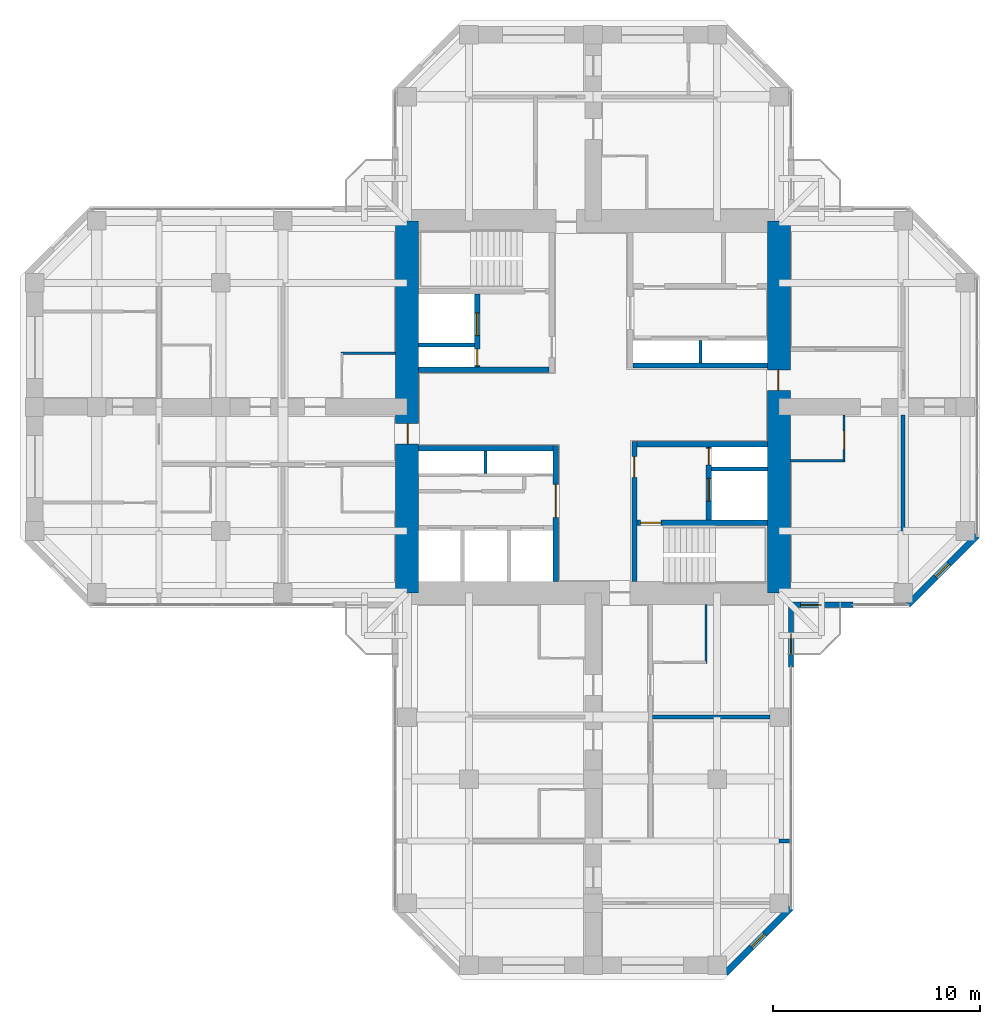
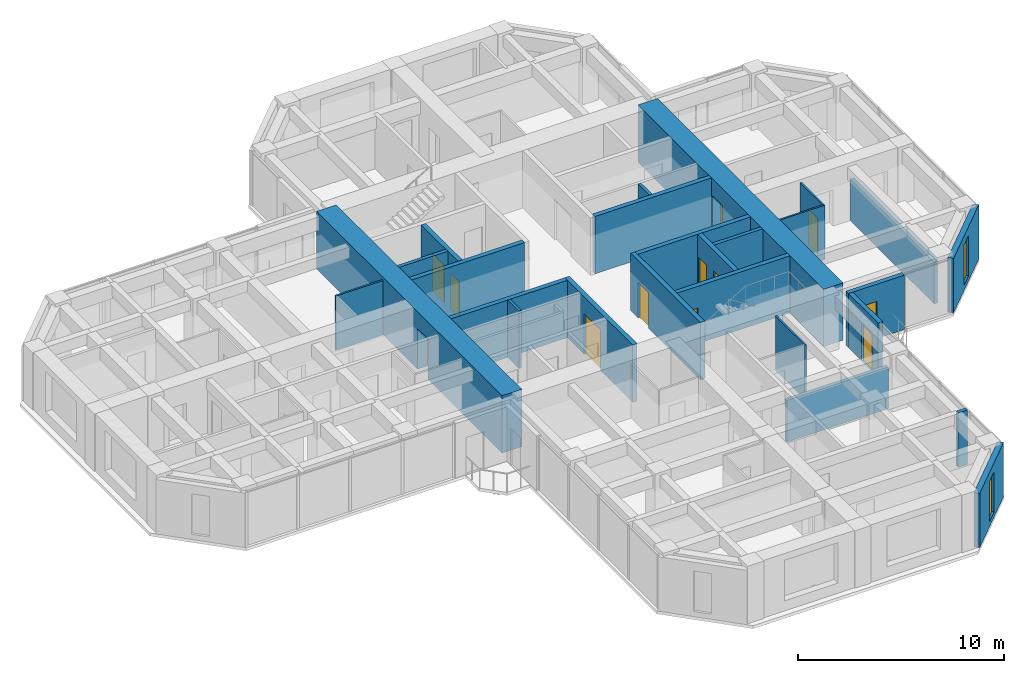
# One storey, part 10 of 13: 26 walls, 12 doors, 2 windows, 14 openings.
"""IFC4 building model written with IfcOpenShell, lengths in metres."""

from ifc_helpers import new_model, si_unit, direction, frame, frame_2d, origin, place, context, subcontext, project, spatial, rectangle, hollow_rectangle, extrude, material, layer, layer_set, constituent, constituent_set, type_object, element, fill, save


model = new_model("IFC4")

# Units and contexts
model_context = context("Model", 3, precision=1e-05, world=origin(), true_north=direction((0.0, 1.0)))
body_context = subcontext(model_context, "Body", "Model", "MODEL_VIEW")
ifc_project = project(units=[si_unit("LENGTHUNIT", "METRE"), si_unit("AREAUNIT", "SQUARE_METRE"), si_unit("VOLUMEUNIT", "CUBIC_METRE"), si_unit("PLANEANGLEUNIT", "RADIAN"), si_unit("MASSUNIT", "GRAM", prefix="KILO")], contexts=[model_context])

# Site, building, storey
site_placement = place(None, origin())
site = spatial("IfcSite", under=ifc_project, at=site_placement, CompositionType="ELEMENT")
building_placement = place(site_placement, origin())
building = spatial("IfcBuilding", under=site, at=building_placement, Name="Torre Cruceta", CompositionType="ELEMENT")
storey_placement = place(building_placement, frame((0.0, 0.0, 196.699951171875)))
storey = spatial("IfcBuildingStorey", under=building, at=storey_placement, Name="L49", CompositionType="ELEMENT", Elevation=196.699951171875)

# Wall
ifc_material_1 = material(Name="Water-resistant plasterboard on steel studs", Category="steel")
ifc_layer_1 = layer(ifc_material_1, 0.10009765625)
ifc_layer_set_1 = layer_set([ifc_layer_1], Name="Water-resistant plasterboard on steel studs")
wall_type_1 = type_object("IfcWallType", Name="BATHROOM WALL 100", PredefinedType="PARTITIONING", material=ifc_layer_set_1)
wall_1_placement = place(storey_placement, frame((9.550048828125, -2.60009765625, 0.0), z_axis=(0.0, 0.0, 1.0), x_axis=(1.0, 0.0, 0.0)))
element("IfcWall", 1, at=wall_1_placement, inside=storey, type_object=wall_type_1, Name="PT4 L49-E-U1RBB", PredefinedType="PARTITIONING", context=body_context, shape_type="SweptSolid", body=[
    extrude(rectangle(XDim=2.64990234375, YDim=0.10009765625, at=frame_2d((1.324951171875, 0.0))), origin(), (0.0, 0.0, 1.0), 3.219970703125),
])

# Wall, opening, door
wall_2_placement = place(storey_placement, frame((12.14990234375, -2.60009765625, 0.0), z_axis=(0.0, 0.0, 1.0), x_axis=(0.0, 1.0, 0.0)))
wall_2 = element("IfcWall", 2, at=wall_2_placement, inside=storey, type_object=wall_type_1, Name="PT4 L49-E-U1RBS", PredefinedType="PARTITIONING", context=body_context, shape_type="SweptSolid", body=[
    extrude(rectangle(XDim=2.2001953125, YDim=0.10009765625, at=frame_2d((1.10009765625, 0.0))), origin(), (0.0, 0.0, 1.0), 3.219970703125),
])
opening_1_placement = place(wall_2_placement, frame((0.550048828125, 0.0, 0.0)))
opening_1 = element("IfcOpeningElement", 3, at=opening_1_placement, cuts=wall_2, Name="Opening D7", PredefinedType="OPENING", context=body_context, shape_type="SweptSolid", body=[
    extrude(rectangle(XDim=0.89990234375, YDim=2.10009765625, at=frame_2d((0.449951171875, 1.050048828125))), frame((0.0, 0.06005859375, 0.0), z_axis=(0.0, -1.0, 0.0), x_axis=(1.0, 0.0, 0.0)), (0.0, 0.0, 1.0), 0.1201171875),
])
ifc_material_2 = material(Name="Timber door", Category="wood")
door_type_1 = type_object("IfcDoorType", Name="BATHROOM DOOR 900X2100", OperationType="SINGLE_SWING_LEFT", PredefinedType="DOOR", material=ifc_material_2)
door_1_placement = place(opening_1_placement, origin())
door_1 = element("IfcDoor", 4, at=door_1_placement, inside=storey, type_object=door_type_1, Name="D7 L49-E-U1RBS-D1", OperationType="SINGLE_SWING_LEFT", OverallHeight=2.10009765625, OverallWidth=0.89990234375, PredefinedType="DOOR", context=body_context, shape_type="SweptSolid", body=[
    extrude(rectangle(XDim=0.89990234375, YDim=2.10009765625, at=frame_2d((0.449951171875, 1.050048828125))), frame((0.0, 0.02490234375, 0.0), z_axis=(0.0, -1.0, 0.0), x_axis=(1.0, 0.0, 0.0)), (0.0, 0.0, 1.0), 0.050048828125),
])
fill(opening_1, door_1)

# Walls
wall_3_placement = place(storey_placement, frame((5.47509765625, -9.550048828125, 0.0), z_axis=(0.0, 0.0, 1.0), x_axis=(0.0, -1.0, 0.0)))
element("IfcWall", 5, at=wall_3_placement, inside=storey, type_object=wall_type_1, Name="PT4 L49-S-U1LBB", PredefinedType="PARTITIONING", context=body_context, shape_type="SweptSolid", body=[
    extrude(rectangle(XDim=2.849853515625, YDim=0.10009765625, at=frame_2d((1.4248046875, 0.0))), origin(), (0.0, 0.0, 1.0), 3.219970703125),
])
wall_4_placement = place(storey_placement, frame((-9.550048828125, 2.60009765625, 0.0), z_axis=(0.0, 0.0, 1.0), x_axis=(-1.0, 0.0, 0.0)))
element("IfcWall", 6, at=wall_4_placement, inside=storey, type_object=wall_type_1, Name="PT4 L49-W-U1RBB", PredefinedType="PARTITIONING", context=body_context, shape_type="SweptSolid", body=[
    extrude(rectangle(XDim=2.64990234375, YDim=0.10009765625, at=frame_2d((1.324951171875, 0.0))), origin(), (0.0, 0.0, 1.0), 3.219970703125),
])
ifc_material_3 = material(Name="Concrete G60 (fck 60 MPa)", Category="concrete")
ifc_layer_2 = layer(ifc_material_3, 0.25)
ifc_layer_set_2 = layer_set([ifc_layer_2], Name="Concrete G60 (fck 60 MPa)")
wall_type_2 = type_object("IfcWallType", Name="CORE INNER WALL 250 G60", PredefinedType="SHEAR", material=ifc_layer_set_2)
wall_5_placement = place(storey_placement, frame((1.925048828125, 2.0, 0.0), z_axis=(0.0, 0.0, 1.0), x_axis=(1.0, 0.0, 0.0)))
element("IfcWall", 7, at=wall_5_placement, inside=storey, type_object=wall_type_2, Name="CW4 L49 NE-CV", PredefinedType="SHEAR", context=body_context, shape_type="SweptSolid", body=[
    extrude(rectangle(XDim=6.52490234375, YDim=0.25, at=frame_2d((3.262451171875, 0.0))), origin(), (0.0, 0.0, 1.0), 3.400146484375),
])
wall_6_placement = place(storey_placement, frame((-2.125, 1.800048828125, 0.0), z_axis=(0.0, 0.0, 1.0), x_axis=(-1.0, 0.0, 0.0)))
element("IfcWall", 8, at=wall_6_placement, inside=storey, type_object=wall_type_2, Name="CW4 L49 NW-CV", PredefinedType="SHEAR", context=body_context, shape_type="SweptSolid", body=[
    extrude(rectangle(XDim=6.324951171875, YDim=0.25, at=frame_2d((3.16259765625, 0.0))), origin(), (0.0, 0.0, 1.0), 3.400146484375),
])

# Wall, openings, doors
wall_7_placement = place(storey_placement, frame((-5.60009765625, 1.925048828125, 0.0), z_axis=(0.0, 0.0, 1.0), x_axis=(0.0, 1.0, 0.0)))
wall_7 = element("IfcWall", 9, at=wall_7_placement, inside=storey, type_object=wall_type_2, Name="CW4 L49 NW-FU", PredefinedType="SHEAR", context=body_context, shape_type="SweptSolid", body=[
    extrude(rectangle(XDim=3.550048828125, YDim=0.25, at=frame_2d((1.77490234375, 0.0))), origin(), (0.0, 0.0, 1.0), 3.400146484375),
])
opening_2_placement = place(wall_7_placement, frame((1.52490234375, 0.0, 0.0)))
opening_2 = element("IfcOpeningElement", 10, at=opening_2_placement, cuts=wall_7, Name="Opening LD1", PredefinedType="OPENING", context=body_context, shape_type="SweptSolid", body=[
    extrude(rectangle(XDim=1.10009765625, YDim=2.199951171875, at=frame_2d((0.550048828125, 1.10009765625))), frame((0.0, 0.135009765625, 0.0), z_axis=(0.0, -1.0, 0.0), x_axis=(1.0, 0.0, 0.0)), (0.0, 0.0, 1.0), 0.27001953125),
])
opening_3_placement = place(wall_7_placement, frame((0.074951171875, 0.0, 0.0)))
opening_3 = element("IfcOpeningElement", 11, at=opening_3_placement, cuts=wall_7, Name="Opening D5", PredefinedType="OPENING", context=body_context, shape_type="SweptSolid", body=[
    extrude(rectangle(XDim=0.800048828125, YDim=2.10009765625, at=frame_2d((0.39990234375, 1.050048828125))), frame((0.0, 0.135009765625, 0.0), z_axis=(0.0, -1.0, 0.0), x_axis=(1.0, 0.0, 0.0)), (0.0, 0.0, 1.0), 0.27001953125),
])
ifc_material_4 = material(Name="Stainless steel 1.4401", Category="steel")
door_type_2 = type_object("IfcDoorType", Name="LIFT LANDING DOOR 1100X2200", OperationType="DOUBLE_DOOR_SLIDING", PredefinedType="DOOR", material=ifc_material_4)
door_2_placement = place(opening_2_placement, origin())
door_2 = element("IfcDoor", 12, at=door_2_placement, inside=storey, type_object=door_type_2, Name="Lift landing door FL1", OperationType="DOUBLE_DOOR_SLIDING", OverallHeight=2.199951171875, OverallWidth=1.10009765625, PredefinedType="DOOR", context=body_context, shape_type="SweptSolid", body=[
    extrude(rectangle(XDim=1.10009765625, YDim=2.199951171875, at=frame_2d((0.550048828125, 1.10009765625))), frame((0.0, 0.02490234375, 0.0), z_axis=(0.0, -1.0, 0.0), x_axis=(1.0, 0.0, 0.0)), (0.0, 0.0, 1.0), 0.050048828125),
])
fill(opening_2, door_2)
ifc_material_5 = material(Name="Steel DX51D", Category="steel")
ifc_constituent_1 = constituent(ifc_material_5, Name="Leaf and frame")
ifc_material_6 = material(Name="Polyester powder coating", Category="paint")
ifc_constituent_2 = constituent(ifc_material_6, Name="Finish")
ifc_constituent_set_1 = constituent_set(constituents=[ifc_constituent_1, ifc_constituent_2], Name="Steel fire door")
door_type_3 = type_object("IfcDoorType", Name="RISER ACCESS DOOR 800X2100", OperationType="SINGLE_SWING_LEFT", PredefinedType="DOOR", material=ifc_constituent_set_1)
door_3_placement = place(opening_3_placement, origin())
door_3 = element("IfcDoor", 13, at=door_3_placement, inside=storey, type_object=door_type_3, Name="D5 L49 NW-RISER", OperationType="SINGLE_SWING_LEFT", OverallHeight=2.10009765625, OverallWidth=0.800048828125, PredefinedType="DOOR", context=body_context, shape_type="SweptSolid", body=[
    extrude(rectangle(XDim=0.800048828125, YDim=2.10009765625, at=frame_2d((0.39990234375, 1.050048828125))), frame((0.0, 0.02490234375, 0.0), z_axis=(0.0, -1.0, 0.0), x_axis=(1.0, 0.0, 0.0)), (0.0, 0.0, 1.0), 0.050048828125),
])
fill(opening_3, door_3)

# Wall, opening, door
wall_8_placement = place(storey_placement, frame((-1.800048828125, -1.875, 0.0), z_axis=(0.0, 0.0, 1.0), x_axis=(0.0, -1.0, 0.0)))
wall_8 = element("IfcWall", 14, at=wall_8_placement, inside=storey, type_object=wall_type_2, Name="CW4 L49 SW-CU", PredefinedType="SHEAR", context=body_context, shape_type="SweptSolid", body=[
    extrude(rectangle(XDim=6.574951171875, YDim=0.25, at=frame_2d((3.28759765625, 0.0))), origin(), (0.0, 0.0, 1.0), 3.400146484375),
])
opening_4_placement = place(wall_8_placement, frame((1.875, 0.0, 0.0)))
opening_4 = element("IfcOpeningElement", 15, at=opening_4_placement, cuts=wall_8, Name="Opening D8", PredefinedType="OPENING", context=body_context, shape_type="SweptSolid", body=[
    extrude(rectangle(XDim=1.60009765625, YDim=2.39990234375, at=frame_2d((0.800048828125, 1.199951171875))), frame((0.0, 0.135009765625, 0.0), z_axis=(0.0, -1.0, 0.0), x_axis=(1.0, 0.0, 0.0)), (0.0, 0.0, 1.0), 0.27001953125),
])
ifc_material_7 = material(Name="Steel DX51D", Category="steel")
ifc_constituent_3 = constituent(ifc_material_7, Name="Leaf and frame")
ifc_material_8 = material(Name="Polyester powder coating", Category="paint")
ifc_constituent_4 = constituent(ifc_material_8, Name="Finish")
ifc_material_9 = material(Name="Fire-resisting glass", Category="glass")
ifc_constituent_5 = constituent(ifc_material_9, Name="Vision panel")
ifc_constituent_set_2 = constituent_set(constituents=[ifc_constituent_3, ifc_constituent_4, ifc_constituent_5], Name="Steel fire door with vision panels")
door_type_4 = type_object("IfcDoorType", Name="LIFT LOBBY DOUBLE DOOR 1600X2400", OperationType="DOUBLE_DOOR_DOUBLE_SWING", PredefinedType="DOOR", material=ifc_constituent_set_2)
door_4_placement = place(opening_4_placement, origin())
door_4 = element("IfcDoor", 16, at=door_4_placement, inside=storey, type_object=door_type_4, Name="D8 L49 SW-LOBBY", OperationType="DOUBLE_DOOR_DOUBLE_SWING", OverallHeight=2.39990234375, OverallWidth=1.60009765625, PredefinedType="DOOR", context=body_context, shape_type="SweptSolid", body=[
    extrude(rectangle(XDim=1.60009765625, YDim=2.39990234375, at=frame_2d((0.800048828125, 1.199951171875))), frame((0.0, 0.02490234375, 0.0), z_axis=(0.0, -1.0, 0.0), x_axis=(1.0, 0.0, 0.0)), (0.0, 0.0, 1.0), 0.050048828125),
])
fill(opening_4, door_4)

# Wall
wall_9_placement = place(storey_placement, frame((-1.925048828125, -2.0, 0.0), z_axis=(0.0, 0.0, 1.0), x_axis=(-1.0, 0.0, 0.0)))
element("IfcWall", 17, at=wall_9_placement, inside=storey, type_object=wall_type_2, Name="CW4 L49 SW-CV", PredefinedType="SHEAR", context=body_context, shape_type="SweptSolid", body=[
    extrude(rectangle(XDim=6.52490234375, YDim=0.25, at=frame_2d((3.262451171875, 0.0))), origin(), (0.0, 0.0, 1.0), 3.400146484375),
])

# Wall, opening, door
wall_10_placement = place(storey_placement, frame((2.0, -1.675048828125, 0.0), z_axis=(0.0, 0.0, 1.0), x_axis=(0.0, -1.0, 0.0)))
wall_10 = element("IfcWall", 18, at=wall_10_placement, inside=storey, type_object=wall_type_2, Name="CW4 L49 SE-CU", PredefinedType="SHEAR", context=body_context, shape_type="SweptSolid", body=[
    extrude(rectangle(XDim=6.77490234375, YDim=0.25, at=frame_2d((3.387451171875, 0.0))), origin(), (0.0, 0.0, 1.0), 3.400146484375),
])
opening_5_placement = place(wall_10_placement, frame((0.72509765625, 0.0, 0.0)))
opening_5 = element("IfcOpeningElement", 19, at=opening_5_placement, cuts=wall_10, Name="Opening D3", PredefinedType="OPENING", context=body_context, shape_type="SweptSolid", body=[
    extrude(rectangle(XDim=1.0, YDim=2.10009765625, at=frame_2d((0.5, 1.050048828125))), frame((0.0, 0.135009765625, 0.0), z_axis=(0.0, -1.0, 0.0), x_axis=(1.0, 0.0, 0.0)), (0.0, 0.0, 1.0), 0.27001953125),
])
ifc_material_10 = material(Name="Steel DX51D", Category="steel")
ifc_constituent_6 = constituent(ifc_material_10, Name="Leaf and frame")
ifc_material_11 = material(Name="Polyester powder coating", Category="paint")
ifc_constituent_7 = constituent(ifc_material_11, Name="Finish")
ifc_constituent_set_3 = constituent_set(constituents=[ifc_constituent_6, ifc_constituent_7], Name="Steel fire door")
door_type_5 = type_object("IfcDoorType", Name="FIRE DOOR 1000X2100", OperationType="SINGLE_SWING_LEFT", PredefinedType="DOOR", material=ifc_constituent_set_3)
door_5_placement = place(opening_5_placement, origin())
door_5 = element("IfcDoor", 20, at=door_5_placement, inside=storey, type_object=door_type_5, Name="D3 L49 SE-LOBBY", OperationType="SINGLE_SWING_LEFT", OverallHeight=2.10009765625, OverallWidth=1.0, PredefinedType="DOOR", context=body_context, shape_type="SweptSolid", body=[
    extrude(rectangle(XDim=1.0, YDim=2.10009765625, at=frame_2d((0.5, 1.050048828125))), frame((0.0, 0.02490234375, 0.0), z_axis=(0.0, -1.0, 0.0), x_axis=(1.0, 0.0, 0.0)), (0.0, 0.0, 1.0), 0.050048828125),
])
fill(opening_5, door_5)

# Wall
wall_11_placement = place(storey_placement, frame((2.125, -1.800048828125, 0.0), z_axis=(0.0, 0.0, 1.0), x_axis=(1.0, 0.0, 0.0)))
element("IfcWall", 21, at=wall_11_placement, inside=storey, type_object=wall_type_2, Name="CW4 L49 SE-CV", PredefinedType="SHEAR", context=body_context, shape_type="SweptSolid", body=[
    extrude(rectangle(XDim=6.324951171875, YDim=0.25, at=frame_2d((3.16259765625, 0.0))), origin(), (0.0, 0.0, 1.0), 3.400146484375),
])

# Wall, opening, door
wall_12_placement = place(storey_placement, frame((2.125, -5.60009765625, 0.0), z_axis=(0.0, 0.0, 1.0), x_axis=(1.0, 0.0, 0.0)))
wall_12 = element("IfcWall", 22, at=wall_12_placement, inside=storey, type_object=wall_type_2, Name="CW4 L49 SE-SV", PredefinedType="SHEAR", context=body_context, shape_type="SweptSolid", body=[
    extrude(rectangle(XDim=6.324951171875, YDim=0.25, at=frame_2d((3.16259765625, 0.0))), origin(), (0.0, 0.0, 1.0), 3.400146484375),
])
opening_6_placement = place(wall_12_placement, frame((0.175048828125, 0.0, 0.0)))
opening_6 = element("IfcOpeningElement", 23, at=opening_6_placement, cuts=wall_12, Name="Opening D3", PredefinedType="OPENING", context=body_context, shape_type="SweptSolid", body=[
    extrude(rectangle(XDim=1.0, YDim=2.10009765625, at=frame_2d((0.5, 1.050048828125))), frame((0.0, 0.135009765625, 0.0), z_axis=(0.0, -1.0, 0.0), x_axis=(1.0, 0.0, 0.0)), (0.0, 0.0, 1.0), 0.27001953125),
])
door_6_placement = place(opening_6_placement, frame((1.0, 0.0, 0.0), z_axis=(0.0, 0.0, 1.0), x_axis=(-1.0, 0.0, 0.0)))
door_6 = element("IfcDoor", 24, at=door_6_placement, inside=storey, type_object=door_type_5, Name="D3 L49 SE-STAIR", OperationType="SINGLE_SWING_RIGHT", OverallHeight=2.10009765625, OverallWidth=1.0, PredefinedType="DOOR", context=body_context, shape_type="SweptSolid", body=[
    extrude(rectangle(XDim=1.0, YDim=2.10009765625, at=frame_2d((0.5, 1.050048828125))), frame((0.0, 0.025146484375, 0.0), z_axis=(0.0, -1.0, 0.0), x_axis=(1.0, 0.0, 0.0)), (0.0, 0.0, 1.0), 0.050048828125),
])
fill(opening_6, door_6)

# Wall, openings, doors
wall_13_placement = place(storey_placement, frame((5.60009765625, -1.925048828125, 0.0), z_axis=(0.0, 0.0, 1.0), x_axis=(0.0, -1.0, 0.0)))
wall_13 = element("IfcWall", 25, at=wall_13_placement, inside=storey, type_object=wall_type_2, Name="CW4 L49 SE-FU", PredefinedType="SHEAR", context=body_context, shape_type="SweptSolid", body=[
    extrude(rectangle(XDim=3.550048828125, YDim=0.25, at=frame_2d((1.77490234375, 0.0))), origin(), (0.0, 0.0, 1.0), 3.400146484375),
])
opening_7_placement = place(wall_13_placement, frame((1.52490234375, 0.0, 0.0)))
opening_7 = element("IfcOpeningElement", 26, at=opening_7_placement, cuts=wall_13, Name="Opening LD1", PredefinedType="OPENING", context=body_context, shape_type="SweptSolid", body=[
    extrude(rectangle(XDim=1.10009765625, YDim=2.199951171875, at=frame_2d((0.550048828125, 1.10009765625))), frame((0.0, 0.135009765625, 0.0), z_axis=(0.0, -1.0, 0.0), x_axis=(1.0, 0.0, 0.0)), (0.0, 0.0, 1.0), 0.27001953125),
])
opening_8_placement = place(wall_13_placement, frame((0.074951171875, 0.0, 0.0)))
opening_8 = element("IfcOpeningElement", 27, at=opening_8_placement, cuts=wall_13, Name="Opening D5", PredefinedType="OPENING", context=body_context, shape_type="SweptSolid", body=[
    extrude(rectangle(XDim=0.800048828125, YDim=2.10009765625, at=frame_2d((0.39990234375, 1.050048828125))), frame((0.0, 0.135009765625, 0.0), z_axis=(0.0, -1.0, 0.0), x_axis=(1.0, 0.0, 0.0)), (0.0, 0.0, 1.0), 0.27001953125),
])
door_7_placement = place(opening_7_placement, origin())
door_7 = element("IfcDoor", 28, at=door_7_placement, inside=storey, type_object=door_type_2, Name="Lift landing door FL2", OperationType="DOUBLE_DOOR_SLIDING", OverallHeight=2.199951171875, OverallWidth=1.10009765625, PredefinedType="DOOR", context=body_context, shape_type="SweptSolid", body=[
    extrude(rectangle(XDim=1.10009765625, YDim=2.199951171875, at=frame_2d((0.550048828125, 1.10009765625))), frame((0.0, 0.02490234375, 0.0), z_axis=(0.0, -1.0, 0.0), x_axis=(1.0, 0.0, 0.0)), (0.0, 0.0, 1.0), 0.050048828125),
])
fill(opening_7, door_7)
door_8_placement = place(opening_8_placement, origin())
door_8 = element("IfcDoor", 29, at=door_8_placement, inside=storey, type_object=door_type_3, Name="D5 L49 SE-RISER", OperationType="SINGLE_SWING_LEFT", OverallHeight=2.10009765625, OverallWidth=0.800048828125, PredefinedType="DOOR", context=body_context, shape_type="SweptSolid", body=[
    extrude(rectangle(XDim=0.800048828125, YDim=2.10009765625, at=frame_2d((0.39990234375, 1.050048828125))), frame((0.0, 0.02490234375, 0.0), z_axis=(0.0, -1.0, 0.0), x_axis=(1.0, 0.0, 0.0)), (0.0, 0.0, 1.0), 0.050048828125),
])
fill(opening_8, door_8)

# Wall, opening, door
ifc_material_12 = material(Name="Concrete G60 (fck 60 MPa)", Category="concrete")
ifc_layer_3 = layer(ifc_material_12, 1.10009765625)
ifc_layer_set_3 = layer_set([ifc_layer_3], Name="Concrete G60 (fck 60 MPa)")
wall_type_3 = type_object("IfcWallType", Name="CORE WALL 1100 G60", PredefinedType="SHEAR", material=ifc_layer_set_3)
wall_14_placement = place(storey_placement, frame((9.0, -9.0, 0.0), z_axis=(0.0, 0.0, 1.0), x_axis=(0.0, 1.0, 0.0)))
wall_14 = element("IfcWall", 30, at=wall_14_placement, inside=storey, type_object=wall_type_3, Name="CW2 L49 CW-E", PredefinedType="SHEAR", context=body_context, shape_type="SweptSolid", body=[
    extrude(rectangle(XDim=18.0, YDim=1.10009765625, at=frame_2d((9.0, 0.0))), origin(), (0.0, 0.0, 1.0), 3.400146484375),
])
opening_9_placement = place(wall_14_placement, frame((9.800048828125, 0.0, 0.0)))
opening_9 = element("IfcOpeningElement", 31, at=opening_9_placement, cuts=wall_14, Name="Opening D4", PredefinedType="OPENING", context=body_context, shape_type="SweptSolid", body=[
    extrude(rectangle(XDim=1.0, YDim=2.39990234375, at=frame_2d((0.5, 1.199951171875))), frame((0.0, 0.56005859375, 0.0), z_axis=(0.0, -1.0, 0.0), x_axis=(1.0, 0.0, 0.0)), (0.0, 0.0, 1.0), 1.1201171875),
])
ifc_material_13 = material(Name="Steel DX51D", Category="steel")
ifc_constituent_8 = constituent(ifc_material_13, Name="Leaf and frame")
ifc_material_14 = material(Name="Polyester powder coating", Category="paint")
ifc_constituent_9 = constituent(ifc_material_14, Name="Finish")
ifc_constituent_set_4 = constituent_set(constituents=[ifc_constituent_8, ifc_constituent_9], Name="Steel fire door")
door_type_6 = type_object("IfcDoorType", Name="CORE ARM DOOR 1000X2400", OperationType="SINGLE_SWING_RIGHT", PredefinedType="DOOR", material=ifc_constituent_set_4)
door_9_placement = place(opening_9_placement, origin())
door_9 = element("IfcDoor", 32, at=door_9_placement, inside=storey, type_object=door_type_6, Name="D4 L49 CW-E", OperationType="SINGLE_SWING_RIGHT", OverallHeight=2.39990234375, OverallWidth=1.0, PredefinedType="DOOR", context=body_context, shape_type="SweptSolid", body=[
    extrude(rectangle(XDim=1.0, YDim=2.39990234375, at=frame_2d((0.5, 1.199951171875))), frame((0.0, 0.05517578125, 0.0), z_axis=(0.0, -1.0, 0.0), x_axis=(1.0, 0.0, 0.0)), (0.0, 0.0, 1.0), 0.050048828125),
])
fill(opening_9, door_9)

wall_15_placement = place(storey_placement, frame((-9.0, 9.0, 0.0), z_axis=(0.0, 0.0, 1.0), x_axis=(0.0, -1.0, 0.0)))
wall_15 = element("IfcWall", 33, at=wall_15_placement, inside=storey, type_object=wall_type_3, Name="CW2 L49 CW-W", PredefinedType="SHEAR", context=body_context, shape_type="SweptSolid", body=[
    extrude(rectangle(XDim=18.0, YDim=1.10009765625, at=frame_2d((9.0, 0.0))), origin(), (0.0, 0.0, 1.0), 3.400146484375),
])
opening_10_placement = place(wall_15_placement, frame((9.800048828125, 0.0, 0.0)))
opening_10 = element("IfcOpeningElement", 34, at=opening_10_placement, cuts=wall_15, Name="Opening D4", PredefinedType="OPENING", context=body_context, shape_type="SweptSolid", body=[
    extrude(rectangle(XDim=1.0, YDim=2.39990234375, at=frame_2d((0.5, 1.199951171875))), frame((0.0, 0.56005859375, 0.0), z_axis=(0.0, -1.0, 0.0), x_axis=(1.0, 0.0, 0.0)), (0.0, 0.0, 1.0), 1.1201171875),
])
door_10_placement = place(opening_10_placement, origin())
door_10 = element("IfcDoor", 35, at=door_10_placement, inside=storey, type_object=door_type_6, Name="D4 L49 CW-W", OperationType="SINGLE_SWING_RIGHT", OverallHeight=2.39990234375, OverallWidth=1.0, PredefinedType="DOOR", context=body_context, shape_type="SweptSolid", body=[
    extrude(rectangle(XDim=1.0, YDim=2.39990234375, at=frame_2d((0.5, 1.199951171875))), frame((0.0, 0.05517578125, 0.0), z_axis=(0.0, -1.0, 0.0), x_axis=(1.0, 0.0, 0.0)), (0.0, 0.0, 1.0), 0.050048828125),
])
fill(opening_10, door_10)

# Wall, opening, window
ifc_material_15 = material(Name="Concrete G30 (fck 30 MPa)", Category="concrete")
ifc_layer_4 = layer(ifc_material_15, 0.300048828125)
ifc_layer_set_4 = layer_set([ifc_layer_4], Name="Concrete G30 (fck 30 MPa)")
wall_type_4 = type_object("IfcWallType", Name="EXPOSED CONCRETE FACADE WALL 300", PredefinedType="SOLIDWALL", material=ifc_layer_set_4)
wall_16_placement = place(storey_placement, frame((15.236083984375, -9.570068359375, 0.0), z_axis=(0.0, 0.0, 1.0), x_axis=(0.707106781187, 0.707106781187, 0.0)))
wall_16 = element("IfcWall", 36, at=wall_16_placement, inside=storey, type_object=wall_type_4, Name="EW1 facade wall L49 E chamfer 01", PredefinedType="SOLIDWALL", context=body_context, shape_type="SweptSolid", body=[
    extrude(rectangle(XDim=4.715087890625, YDim=0.300048828125, at=frame_2d((2.357421875, 0.0))), origin(), (0.0, 0.0, 1.0), 3.219970703125),
])
opening_11_placement = place(wall_16_placement, frame((1.907470703125, 0.0, 0.300048828125)))
opening_11 = element("IfcOpeningElement", 37, at=opening_11_placement, cuts=wall_16, Name="Opening WN5", PredefinedType="OPENING", context=body_context, shape_type="SweptSolid", body=[
    extrude(rectangle(XDim=0.89990234375, YDim=2.39990234375, at=frame_2d((0.449951171875, 1.199951171875))), frame((0.0, 0.159912109375, 0.0), z_axis=(0.0, -1.0, 0.0), x_axis=(1.0, 0.0, 0.0)), (0.0, 0.0, 1.0), 0.320068359375),
])
ifc_material_16 = material(Name="Aluminium window frame", Category="aluminium")
ifc_constituent_10 = constituent(ifc_material_16, Name="Frame")
ifc_material_17 = material(Name="Laminated insulating glass unit, low-iron clear", Category="glass")
ifc_constituent_11 = constituent(ifc_material_17, Name="Glazing")
ifc_constituent_set_5 = constituent_set(constituents=[ifc_constituent_10, ifc_constituent_11], Name="Aluminium window")
window_type = type_object("IfcWindowType", Name="CHAMFER SLOT WINDOW 900X2400", PartitioningType="SINGLE_PANEL", PredefinedType="WINDOW", material=ifc_constituent_set_5)
window_1_placement = place(opening_11_placement, origin())
window_1 = element("IfcWindow", 38, at=window_1_placement, inside=storey, type_object=window_type, Name="WN5 L49 E 1", OverallHeight=2.39990234375, OverallWidth=0.89990234375, PartitioningType="SINGLE_PANEL", PredefinedType="WINDOW", context=body_context, shape_type="SweptSolid", body=[
    extrude(hollow_rectangle(XDim=0.89990234375, YDim=2.39990234375, WallThickness=0.06005859375, at=frame_2d((0.449951171875, 1.199951171875))), frame((0.0, 0.030029296875, 0.0), z_axis=(0.0, -1.0, 0.0), x_axis=(1.0, 0.0, 0.0)), (0.0, 0.0, 1.0), 0.06005859375),
    extrude(rectangle(XDim=0.77880859375, YDim=2.27880859375, at=frame_2d((0.449951171875, 1.199951171875))), frame((0.0, 0.030029296875, 0.0), z_axis=(0.0, -1.0, 0.0), x_axis=(1.0, 0.0, 0.0)), (0.0, 0.0, 1.0), 0.06005859375),
])
fill(opening_11, window_1)

wall_17_placement = place(storey_placement, frame((6.406005859375, -27.39990234375, 0.0), z_axis=(0.0, 0.0, 1.0), x_axis=(0.707134062067, 0.707079499254, 0.0)))
wall_17 = element("IfcWall", 39, at=wall_17_placement, inside=storey, type_object=wall_type_4, Name="EW1 facade wall L49 S chamfer 18", PredefinedType="SOLIDWALL", context=body_context, shape_type="SweptSolid", body=[
    extrude(rectangle(XDim=4.474609375, YDim=0.300048828125, at=frame_2d((2.2373046875, 0.0))), origin(), (0.0, 0.0, 1.0), 3.219970703125),
])
opening_12_placement = place(wall_17_placement, frame((1.787109375, 0.0, 0.300048828125)))
opening_12 = element("IfcOpeningElement", 40, at=opening_12_placement, cuts=wall_17, Name="Opening WN5", PredefinedType="OPENING", context=body_context, shape_type="SweptSolid", body=[
    extrude(rectangle(XDim=0.89990234375, YDim=2.39990234375, at=frame_2d((0.449951171875, 1.199951171875))), frame((0.0, 0.159912109375, 0.0), z_axis=(0.0, -1.0, 0.0), x_axis=(1.0, 0.0, 0.0)), (0.0, 0.0, 1.0), 0.320068359375),
])
window_2_placement = place(opening_12_placement, origin())
window_2 = element("IfcWindow", 41, at=window_2_placement, inside=storey, type_object=window_type, Name="WN5 L49 S 1", OverallHeight=2.39990234375, OverallWidth=0.89990234375, PartitioningType="SINGLE_PANEL", PredefinedType="WINDOW", context=body_context, shape_type="SweptSolid", body=[
    extrude(hollow_rectangle(XDim=0.89990234375, YDim=2.39990234375, WallThickness=0.06005859375, at=frame_2d((0.449951171875, 1.199951171875))), frame((0.0, 0.030029296875, 0.0), z_axis=(0.0, -1.0, 0.0), x_axis=(1.0, 0.0, 0.0)), (0.0, 0.0, 1.0), 0.06005859375),
    extrude(rectangle(XDim=0.77880859375, YDim=2.27880859375, at=frame_2d((0.449951171875, 1.199951171875))), frame((0.0, 0.030029296875, 0.0), z_axis=(0.0, -1.0, 0.0), x_axis=(1.0, 0.0, 0.0)), (0.0, 0.0, 1.0), 0.06005859375),
])
fill(opening_12, window_2)

# Walls
ifc_material_18 = material(Name="Concrete G35 (fck 35 MPa)", Category="concrete")
ifc_layer_5 = layer(ifc_material_18, 0.199951171875)
ifc_layer_set_5 = layer_set([ifc_layer_5], Name="Concrete G35 (fck 35 MPa)")
wall_type_5 = type_object("IfcWallType", Name="LIFT SHAFT WALL 200", PredefinedType="PARTITIONING", material=ifc_layer_set_5)
for number, where, z_axis, x_axis, name in (
    (42, (-5.72509765625, 3.0, 0.0), (0.0, 0.0, 1.0), (-1.0, 0.0, 0.0), "SW1 L49 NW-FR"),
    (43, (5.72509765625, -3.0, 0.0), (0.0, 0.0, 1.0), (1.0, 0.0, 0.0), "SW1 L49 SE-FR"),
):
    element("IfcWall", number, at=place(storey_placement, frame(where, z_axis=z_axis, x_axis=x_axis)), inside=storey, type_object=wall_type_5, Name=name, PredefinedType="PARTITIONING", context=body_context, shape_type="SweptSolid", body=[
        extrude(rectangle(XDim=2.724853515625, YDim=0.199951171875, at=frame_2d((1.3623046875, 0.0))), origin(), (0.0, 0.0, 1.0), 3.400146484375),
    ])
ifc_material_19 = material(Name="Concrete block masonry", Category="masonry")
ifc_layer_6 = layer(ifc_material_19, 0.14990234375)
ifc_layer_set_6 = layer_set([ifc_layer_6], Name="Concrete block masonry")
wall_type_6 = type_object("IfcWallType", Name="RISER WALL 150", PredefinedType="PARTITIONING", material=ifc_layer_set_6)
for number, where, z_axis, x_axis, name in (
    (44, (5.199951171875, 2.125, 0.0), (0.0, 0.0, 1.0), (0.0, 1.0, 0.0), "SW7 L49 NE-RU"),
    (45, (-5.199951171875, -2.125, 0.0), (0.0, 0.0, 1.0), (0.0, -1.0, 0.0), "SW7 L49 SW-RU"),
):
    element("IfcWall", number, at=place(storey_placement, frame(where, z_axis=z_axis, x_axis=x_axis)), inside=storey, type_object=wall_type_6, Name=name, PredefinedType="PARTITIONING", context=body_context, shape_type="SweptSolid", body=[
        extrude(rectangle(XDim=1.10009765625, YDim=0.14990234375, at=frame_2d((0.550048828125, 0.0))), origin(), (0.0, 0.0, 1.0), 3.400146484375),
    ])
ifc_material_20 = material(Name="Concrete G25 (fck 25 MPa)", Category="concrete")
ifc_layer_7 = layer(ifc_material_20, 0.199951171875)
ifc_layer_set_7 = layer_set([ifc_layer_7], Name="Concrete G25 (fck 25 MPa)")
wall_type_7 = type_object("IfcWallType", Name="UNIT SEPARATING WALL 200", PredefinedType="SOLIDWALL", material=ifc_layer_set_7)
wall_18_placement = place(storey_placement, frame((15.0, -8.550048828125, 0.0), z_axis=(0.0, 0.0, 1.0), x_axis=(0.0, 1.0, 0.0)))
element("IfcWall", 46, at=wall_18_placement, inside=storey, type_object=wall_type_7, Name="PT2 L49-E-ENDa", PredefinedType="SOLIDWALL", context=body_context, shape_type="SweptSolid", body=[
    extrude(rectangle(XDim=8.150146484375, YDim=0.199951171875, at=frame_2d((4.0751953125, 0.0))), origin(), (0.0, 0.0, 1.0), 2.469970703125),
])
wall_19_placement = place(storey_placement, frame((2.875, -15.0, 0.0), z_axis=(0.0, 0.0, 1.0), x_axis=(1.0, 0.0, 0.0)))
element("IfcWall", 47, at=wall_19_placement, inside=storey, type_object=wall_type_7, Name="PT2 L49-S-P1L", PredefinedType="SOLIDWALL", context=body_context, shape_type="SweptSolid", body=[
    extrude(rectangle(XDim=5.675048828125, YDim=0.199951171875, at=frame_2d((2.83740234375, 0.0))), origin(), (0.0, 0.0, 1.0), 2.469970703125),
])
wall_20_placement = place(storey_placement, frame((9.0, -21.0, 0.0), z_axis=(0.0, 0.0, 1.0), x_axis=(1.0, 0.0, 0.0)))
element("IfcWall", 48, at=wall_20_placement, inside=storey, type_object=wall_type_7, Name="PT2 L49-S-ENDb 2", PredefinedType="SOLIDWALL", context=body_context, shape_type="SweptSolid", body=[
    extrude(rectangle(XDim=0.530029296875, YDim=0.199951171875, at=frame_2d((0.26513671875, 0.0))), origin(), (0.0, 0.0, 1.0), 3.219970703125),
])

# Wall, opening, door
ifc_material_21 = material(Name="Concrete G30 (fck 30 MPa)", Category="concrete")
ifc_layer_8 = layer(ifc_material_21, 0.25)
ifc_layer_set_8 = layer_set([ifc_layer_8], Name="Concrete G30 (fck 30 MPa)")
wall_type_8 = type_object("IfcWallType", Name="WINTER GARDEN WALL 250", PredefinedType="SOLIDWALL", material=ifc_layer_set_8)
wall_21_placement = place(storey_placement, frame((9.445068359375, -9.570068359375, 0.0), z_axis=(0.0, 0.0, 1.0), x_axis=(1.0, 0.0, 0.0)))
wall_21 = element("IfcWall", 49, at=wall_21_placement, inside=storey, type_object=wall_type_8, Name="EW2 winter garden wall L49 00", PredefinedType="SOLIDWALL", context=body_context, shape_type="SweptSolid", body=[
    extrude(rectangle(XDim=3.125, YDim=0.25, at=frame_2d((1.5625, 0.0))), origin(), (0.0, 0.0, 1.0), 3.219970703125),
])
opening_13_placement = place(wall_21_placement, frame((0.60009765625, 0.0, 0.0)))
opening_13 = element("IfcOpeningElement", 50, at=opening_13_placement, cuts=wall_21, Name="Opening D10", PredefinedType="OPENING", context=body_context, shape_type="SweptSolid", body=[
    extrude(rectangle(XDim=1.0, YDim=2.199951171875, at=frame_2d((0.5, 1.10009765625))), frame((0.0, 0.135009765625, 0.0), z_axis=(0.0, -1.0, 0.0), x_axis=(1.0, 0.0, 0.0)), (0.0, 0.0, 1.0), 0.27001953125),
])
ifc_material_22 = material(Name="Aluminium door frame", Category="aluminium")
ifc_constituent_12 = constituent(ifc_material_22, Name="Frame")
ifc_material_23 = material(Name="Laminated safety glass", Category="glass")
ifc_constituent_13 = constituent(ifc_material_23, Name="Glazing")
ifc_constituent_set_6 = constituent_set(constituents=[ifc_constituent_12, ifc_constituent_13], Name="Aluminium glazed door")
door_type_7 = type_object("IfcDoorType", Name="BALCONY DOOR 1000X2200", OperationType="SINGLE_SWING_RIGHT", PredefinedType="DOOR", material=ifc_constituent_set_6)
door_11_placement = place(opening_13_placement, origin())
door_11 = element("IfcDoor", 51, at=door_11_placement, inside=storey, type_object=door_type_7, Name="D10 balcony door L49 00", OperationType="SINGLE_SWING_LEFT", OverallHeight=2.199951171875, OverallWidth=1.0, PredefinedType="DOOR", context=body_context, shape_type="SweptSolid", body=[
    extrude(hollow_rectangle(XDim=1.0, YDim=2.199951171875, WallThickness=0.06005859375, at=frame_2d((0.5, 1.10009765625))), frame((0.0, 0.02490234375, 0.0), z_axis=(0.0, -1.0, 0.0), x_axis=(1.0, 0.0, 0.0)), (0.0, 0.0, 1.0), 0.050048828125),
    extrude(rectangle(XDim=0.87890625, YDim=2.078857421875, at=frame_2d((0.5, 1.10009765625))), frame((0.0, 0.02490234375, 0.0), z_axis=(0.0, -1.0, 0.0), x_axis=(1.0, 0.0, 0.0)), (0.0, 0.0, 1.0), 0.050048828125),
])
fill(opening_13, door_11)

wall_22_placement = place(storey_placement, frame((9.570068359375, -12.570068359375, 0.0), z_axis=(0.0, 0.0, 1.0), x_axis=(0.0, 1.0, 0.0)))
wall_22 = element("IfcWall", 52, at=wall_22_placement, inside=storey, type_object=wall_type_8, Name="EW2 winter garden wall L49 19", PredefinedType="SOLIDWALL", context=body_context, shape_type="SweptSolid", body=[
    extrude(rectangle(XDim=2.875, YDim=0.25, at=frame_2d((1.4375, 0.0))), origin(), (0.0, 0.0, 1.0), 3.219970703125),
])
opening_14_placement = place(wall_22_placement, frame((0.60009765625, 0.0, 0.0)))
opening_14 = element("IfcOpeningElement", 53, at=opening_14_placement, cuts=wall_22, Name="Opening D10", PredefinedType="OPENING", context=body_context, shape_type="SweptSolid", body=[
    extrude(rectangle(XDim=1.0, YDim=2.199951171875, at=frame_2d((0.5, 1.10009765625))), frame((0.0, 0.135009765625, 0.0), z_axis=(0.0, -1.0, 0.0), x_axis=(1.0, 0.0, 0.0)), (0.0, 0.0, 1.0), 0.27001953125),
])
door_12_placement = place(opening_14_placement, origin())
door_12 = element("IfcDoor", 54, at=door_12_placement, inside=storey, type_object=door_type_7, Name="D10 balcony door L49 19", OperationType="SINGLE_SWING_RIGHT", OverallHeight=2.199951171875, OverallWidth=1.0, PredefinedType="DOOR", context=body_context, shape_type="SweptSolid", body=[
    extrude(hollow_rectangle(XDim=1.0, YDim=2.199951171875, WallThickness=0.06005859375, at=frame_2d((0.5, 1.10009765625))), frame((0.0, 0.02490234375, 0.0), z_axis=(0.0, -1.0, 0.0), x_axis=(1.0, 0.0, 0.0)), (0.0, 0.0, 1.0), 0.050048828125),
    extrude(rectangle(XDim=0.87890625, YDim=2.078857421875, at=frame_2d((0.5, 1.10009765625))), frame((0.0, 0.02490234375, 0.0), z_axis=(0.0, -1.0, 0.0), x_axis=(1.0, 0.0, 0.0)), (0.0, 0.0, 1.0), 0.050048828125),
])
fill(opening_14, door_12)

save(model, "model.ifc")
